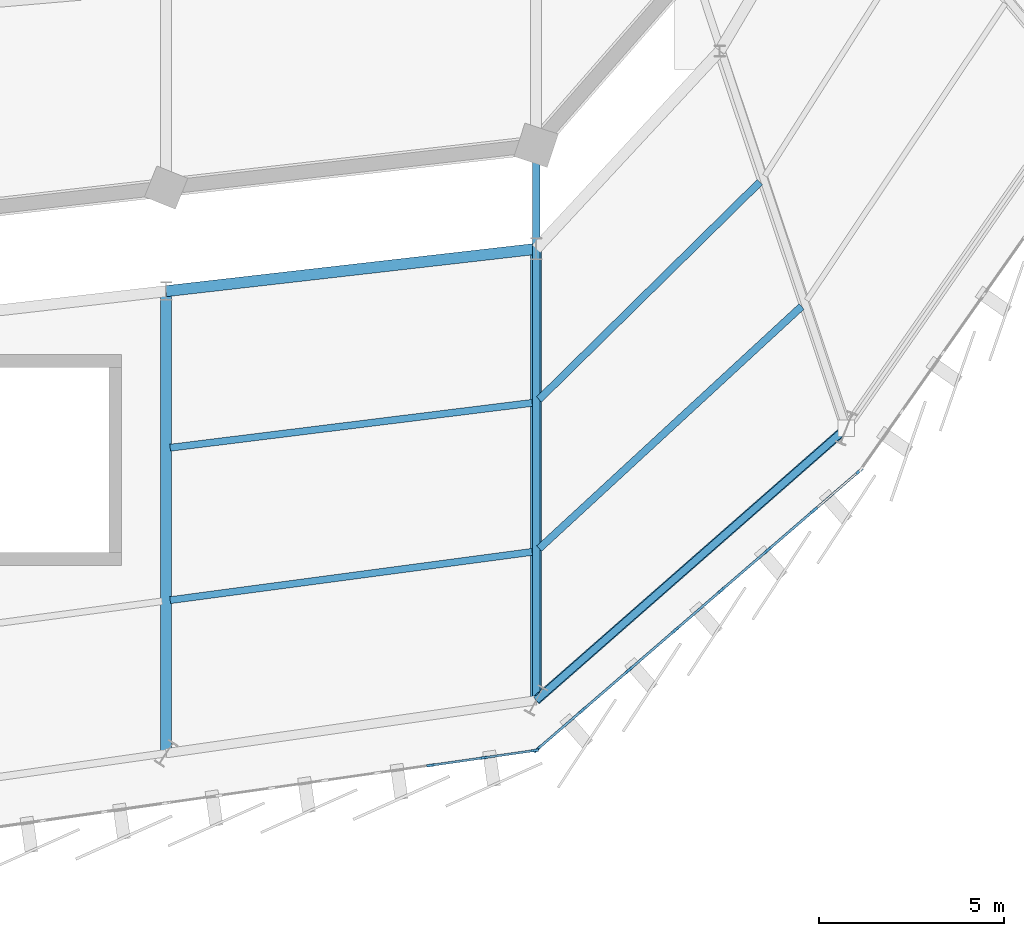
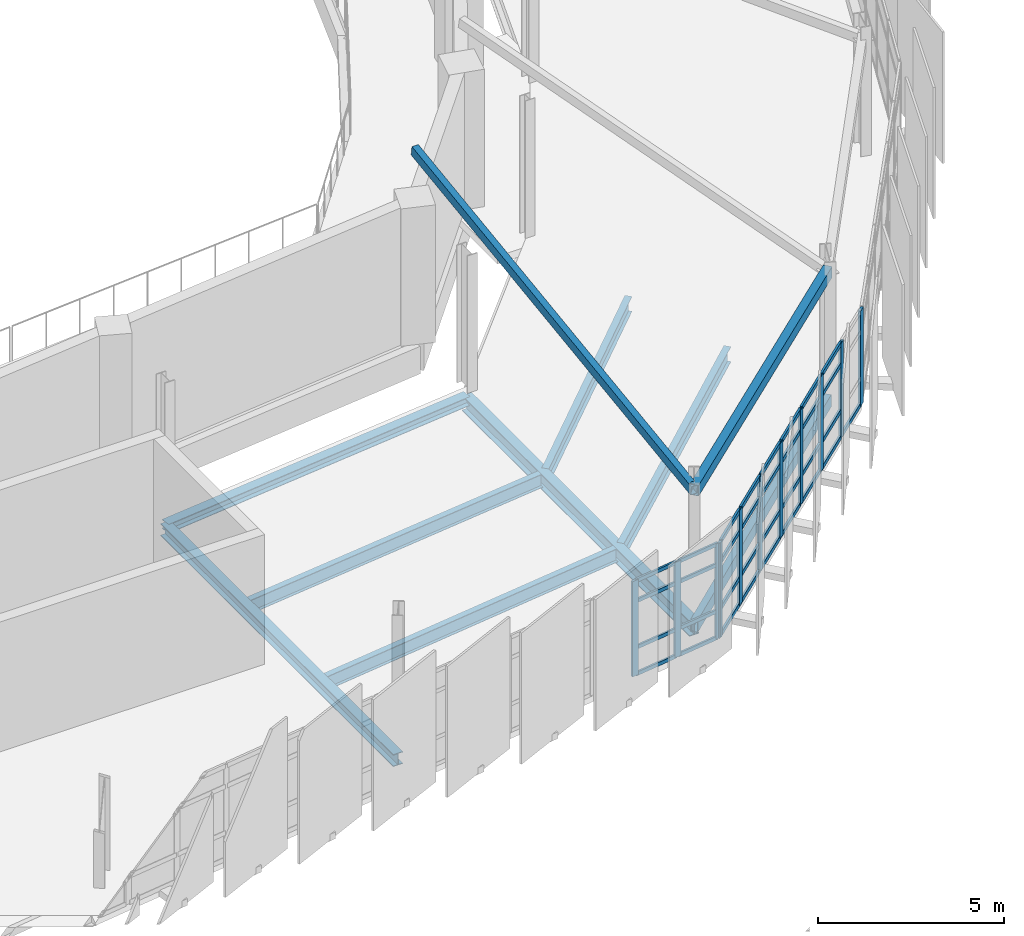
# One storey, part 40 of 87: 46 members, 8 beams, 2 elements without a shape of their own.
"""IFC4 building model written with IfcOpenShell, lengths in metres."""

from ifc_helpers import new_model, si_unit, direction, frame, origin, origin_2d, place, context, subcontext, project, spatial, rectangle, hollow_rectangle, i_section, extrude, material, layer, layer_set, material_profile, profile_set, type_object, element, aggregate, save


model = new_model("IFC4")

# Units and contexts
model_context = context("Model", 3, precision=1e-05, world=origin(), true_north=direction((0.0, 1.0)))
body_context = subcontext(model_context, "Body", "Model", "MODEL_VIEW")
ifc_project = project(units=[si_unit("LENGTHUNIT", "METRE"), si_unit("AREAUNIT", "SQUARE_METRE"), si_unit("VOLUMEUNIT", "CUBIC_METRE"), si_unit("PLANEANGLEUNIT", "RADIAN"), si_unit("MASSUNIT", "GRAM", prefix="KILO")], contexts=[model_context])

# Site, building, storey
site_placement = place(None, origin())
site = spatial("IfcSite", under=ifc_project, at=site_placement, CompositionType="ELEMENT")
building_placement = place(site_placement, origin())
building = spatial("IfcBuilding", under=site, at=building_placement, Name="Sohan Crest Arena", CompositionType="ELEMENT")
storey_placement = place(building_placement, frame((0.0, 0.0, 18.0)))
storey = spatial("IfcBuildingStorey", under=building, at=storey_placement, Name="L04", CompositionType="ELEMENT", Elevation=18.0)

# Curtain wall, members
ifc_material_1 = material(Name="Thermally broken anodised aluminium", Category="aluminium")
ifc_layer_1 = layer(ifc_material_1, 0.179931640625, Name="Thermally broken anodised aluminium")
ifc_layer_set_1 = layer_set([ifc_layer_1], Name="Thermally broken anodised aluminium")
curtain_wall_type_1 = type_object("IfcCurtainWallType", Name="ARC-CW01", PredefinedType="NOTDEFINED", material=ifc_layer_set_1)
curtain_wall_1_placement = place(storey_placement, origin())
curtain_wall_1 = element("IfcCurtainWall", 1, at=curtain_wall_1_placement, inside=storey, type_object=curtain_wall_type_1, Name="Unitised curtain wall CW-130", PredefinedType="NOTDEFINED")
ifc_material_profile_1 = material_profile(ifc_material_1, rectangle(XDim=0.070068359375, YDim=0.199951171875, at=origin_2d()), Name="ALU-MULL 70x200")
ifc_profile_set_1 = profile_set([ifc_material_profile_1], Name="Thermally broken anodised aluminium")
member_type_1 = type_object("IfcMemberType", Name="ARC-CW-ML03", PredefinedType="MULLION", material=ifc_profile_set_1)
member_1_placement = place(storey_placement, frame((165.142822265625, 38.24169921875, 0.0), z_axis=(0.0, 0.0, 1.0), x_axis=(-0.141462933734, 0.989943553128, 0.0)))
member_1 = element("IfcMember", 2, at=member_1_placement, type_object=member_type_1, Name="CW-130 mullion 6", PredefinedType="MULLION", context=body_context, shape_type="SweptSolid", body=[
    extrude(rectangle(XDim=0.070068359375, YDim=0.199951171875, at=origin_2d()), origin(), (0.0, 0.0, 1.0), 3.1201171875),
])
member_2_placement = place(storey_placement, frame((166.571533203125, 38.44580078125, 0.0), z_axis=(0.0, 0.0, 1.0), x_axis=(-0.141462933734, 0.989943553128, 0.0)))
member_2 = element("IfcMember", 3, at=member_2_placement, type_object=member_type_1, Name="CW-130 mullion 7", PredefinedType="MULLION", context=body_context, shape_type="SweptSolid", body=[
    extrude(rectangle(XDim=0.070068359375, YDim=0.199951171875, at=origin_2d()), origin(), (0.0, 0.0, 1.0), 3.1201171875),
])
member_3_placement = place(storey_placement, frame((167.96533203125, 38.64501953125, 0.0), z_axis=(0.0, 0.0, 1.0), x_axis=(-0.141462933734, 0.989943553128, 0.0)))
member_3 = element("IfcMember", 4, at=member_3_placement, type_object=member_type_1, Name="CW-130 mullion 8", PredefinedType="MULLION", context=body_context, shape_type="SweptSolid", body=[
    extrude(rectangle(XDim=0.070068359375, YDim=0.199951171875, at=origin_2d()), origin(), (0.0, 0.0, 1.0), 3.1201171875),
])

ifc_layer_2 = layer(ifc_material_1, 0.199951171875, Name="Thermally broken anodised aluminium")
ifc_layer_set_2 = layer_set([ifc_layer_2], Name="Thermally broken anodised aluminium")
curtain_wall_type_2 = type_object("IfcCurtainWallType", Name="ARC-CW02", PredefinedType="NOTDEFINED", material=ifc_layer_set_2)
curtain_wall_2_placement = place(storey_placement, origin())
curtain_wall_2 = element("IfcCurtainWall", 5, at=curtain_wall_2_placement, inside=storey, type_object=curtain_wall_type_2, Name="Unitised curtain wall CW-131", PredefinedType="NOTDEFINED")
ifc_material_profile_2 = material_profile(ifc_material_1, rectangle(XDim=0.074951171875, YDim=0.219970703125, at=origin_2d()), Name="ALU-MULL 75x220")
ifc_profile_set_2 = profile_set([ifc_material_profile_2], Name="Thermally broken anodised aluminium")
member_type_2 = type_object("IfcMemberType", Name="ARC-CW-ML04", PredefinedType="MULLION", material=ifc_profile_set_2)
member_4_placement = place(storey_placement, frame((168.0283203125, 38.674560546875, 0.0), z_axis=(0.0, 0.0, 1.0), x_axis=(-0.653687296748, 0.756764770633, 0.0)))
member_4 = element("IfcMember", 6, at=member_4_placement, type_object=member_type_2, Name="CW-131 mullion 1", PredefinedType="MULLION", context=body_context, shape_type="SweptSolid", body=[
    extrude(rectangle(XDim=0.074951171875, YDim=0.219970703125, at=origin_2d()), origin(), (0.0, 0.0, 1.0), 3.1201171875),
])
member_5_placement = place(storey_placement, frame((169.252197265625, 39.731689453125, 0.0), z_axis=(0.0, 0.0, 1.0), x_axis=(-0.653687296748, 0.756764770633, 0.0)))
member_5 = element("IfcMember", 7, at=member_5_placement, type_object=member_type_2, Name="CW-131 mullion 2", PredefinedType="MULLION", context=body_context, shape_type="SweptSolid", body=[
    extrude(rectangle(XDim=0.074951171875, YDim=0.219970703125, at=origin_2d()), origin(), (0.0, 0.0, 1.0), 3.1201171875),
])
member_6_placement = place(storey_placement, frame((170.504638671875, 40.8134765625, 0.0), z_axis=(0.0, 0.0, 1.0), x_axis=(-0.653687296748, 0.756764770633, 0.0)))
member_6 = element("IfcMember", 8, at=member_6_placement, type_object=member_type_2, Name="CW-131 mullion 3", PredefinedType="MULLION", context=body_context, shape_type="SweptSolid", body=[
    extrude(rectangle(XDim=0.074951171875, YDim=0.219970703125, at=origin_2d()), origin(), (0.0, 0.0, 1.0), 3.1201171875),
])
member_7_placement = place(storey_placement, frame((171.7568359375, 41.895263671875, 0.0), z_axis=(0.0, 0.0, 1.0), x_axis=(-0.653687296748, 0.756764770633, 0.0)))
member_7 = element("IfcMember", 9, at=member_7_placement, type_object=member_type_2, Name="CW-131 mullion 4", PredefinedType="MULLION", context=body_context, shape_type="SweptSolid", body=[
    extrude(rectangle(XDim=0.074951171875, YDim=0.219970703125, at=origin_2d()), origin(), (0.0, 0.0, 1.0), 3.1201171875),
])
member_8_placement = place(storey_placement, frame((173.009033203125, 42.976806640625, 0.0), z_axis=(0.0, 0.0, 1.0), x_axis=(-0.653687296748, 0.756764770633, 0.0)))
member_8 = element("IfcMember", 10, at=member_8_placement, type_object=member_type_2, Name="CW-131 mullion 5", PredefinedType="MULLION", context=body_context, shape_type="SweptSolid", body=[
    extrude(rectangle(XDim=0.074951171875, YDim=0.219970703125, at=origin_2d()), origin(), (0.0, 0.0, 1.0), 3.1201171875),
])
member_9_placement = place(storey_placement, frame((174.261474609375, 44.05859375, 0.0), z_axis=(0.0, 0.0, 1.0), x_axis=(-0.653687296748, 0.756764770633, 0.0)))
member_9 = element("IfcMember", 11, at=member_9_placement, type_object=member_type_2, Name="CW-131 mullion 6", PredefinedType="MULLION", context=body_context, shape_type="SweptSolid", body=[
    extrude(rectangle(XDim=0.074951171875, YDim=0.219970703125, at=origin_2d()), origin(), (0.0, 0.0, 1.0), 3.1201171875),
])
member_10_placement = place(storey_placement, frame((175.513671875, 45.140380859375, 0.0), z_axis=(0.0, 0.0, 1.0), x_axis=(-0.653687296748, 0.756764770633, 0.0)))
member_10 = element("IfcMember", 12, at=member_10_placement, type_object=member_type_2, Name="CW-131 mullion 7", PredefinedType="MULLION", context=body_context, shape_type="SweptSolid", body=[
    extrude(rectangle(XDim=0.074951171875, YDim=0.219970703125, at=origin_2d()), origin(), (0.0, 0.0, 1.0), 3.1201171875),
])
member_11_placement = place(storey_placement, frame((176.737548828125, 46.197509765625, 0.0), z_axis=(0.0, 0.0, 1.0), x_axis=(-0.653687296748, 0.756764770633, 0.0)))
member_11 = element("IfcMember", 13, at=member_11_placement, type_object=member_type_2, Name="CW-131 mullion 8", PredefinedType="MULLION", context=body_context, shape_type="SweptSolid", body=[
    extrude(rectangle(XDim=0.074951171875, YDim=0.219970703125, at=origin_2d()), origin(), (0.0, 0.0, 1.0), 3.1201171875),
])

# Member
ifc_material_profile_3 = material_profile(ifc_material_1, rectangle(XDim=0.06005859375, YDim=0.1201171875, at=origin_2d()), Name="ALU-TRAN 60x120")
ifc_profile_set_3 = profile_set([ifc_material_profile_3], Name="Thermally broken anodised aluminium")
member_type_3 = type_object("IfcMemberType", Name="ARC-CW-TR01", PredefinedType="USERDEFINED", material=ifc_profile_set_3)
member_12_placement = place(storey_placement, frame((165.177490234375, 38.24658203125, 0.030029296875), z_axis=(0.989935265447, 0.141520917977, 0.0), x_axis=(-0.141520917977, 0.989935265447, 0.0)))
member_12 = element("IfcMember", 14, at=member_12_placement, type_object=member_type_3, Name="CW-130 transom 6.1", ObjectType="TRANSOM", PredefinedType="USERDEFINED", context=body_context, shape_type="SweptSolid", body=[
    extrude(rectangle(XDim=0.06005859375, YDim=0.1201171875, at=origin_2d()), origin(), (0.0, 0.0, 1.0), 1.373291015625),
])

member_13_placement = place(storey_placement, frame((165.177490234375, 38.24658203125, 0.89990234375), z_axis=(0.989935265447, 0.141520917977, 0.0), x_axis=(-0.141520917977, 0.989935265447, 0.0)))
member_13 = element("IfcMember", 15, at=member_13_placement, type_object=member_type_3, Name="CW-130 transom 6.2", ObjectType="TRANSOM", PredefinedType="USERDEFINED", context=body_context, shape_type="SweptSolid", body=[
    extrude(rectangle(XDim=0.06005859375, YDim=0.1201171875, at=origin_2d()), origin(), (0.0, 0.0, 1.0), 1.373291015625),
])

member_14_placement = place(storey_placement, frame((165.177490234375, 38.24658203125, 2.419921875), z_axis=(0.989935265447, 0.141520917977, 0.0), x_axis=(-0.141520917977, 0.989935265447, 0.0)))
member_14 = element("IfcMember", 16, at=member_14_placement, type_object=member_type_3, Name="CW-130 transom 6.3", ObjectType="TRANSOM", PredefinedType="USERDEFINED", context=body_context, shape_type="SweptSolid", body=[
    extrude(rectangle(XDim=0.06005859375, YDim=0.1201171875, at=origin_2d()), origin(), (0.0, 0.0, 1.0), 1.373291015625),
])

member_15_placement = place(storey_placement, frame((165.177490234375, 38.24658203125, 3.090087890625), z_axis=(0.989935265447, 0.141520917977, 0.0), x_axis=(-0.141520917977, 0.989935265447, 0.0)))
member_15 = element("IfcMember", 17, at=member_15_placement, type_object=member_type_3, Name="CW-130 transom 6.4", ObjectType="TRANSOM", PredefinedType="USERDEFINED", context=body_context, shape_type="SweptSolid", body=[
    extrude(rectangle(XDim=0.06005859375, YDim=0.1201171875, at=origin_2d()), origin(), (0.0, 0.0, 1.0), 1.373291015625),
])

member_16_placement = place(storey_placement, frame((166.60595703125, 38.450927734375, 0.030029296875), z_axis=(0.989953142256, 0.141395813721, 0.0), x_axis=(-0.141395813721, 0.989953142256, 0.0)))
member_16 = element("IfcMember", 18, at=member_16_placement, type_object=member_type_3, Name="CW-130 transom 7.1", ObjectType="TRANSOM", PredefinedType="USERDEFINED", context=body_context, shape_type="SweptSolid", body=[
    extrude(rectangle(XDim=0.06005859375, YDim=0.1201171875, at=origin_2d()), origin(), (0.0, 0.0, 1.0), 1.338134765625),
])

member_17_placement = place(storey_placement, frame((166.60595703125, 38.450927734375, 0.89990234375), z_axis=(0.989953142256, 0.141395813721, 0.0), x_axis=(-0.141395813721, 0.989953142256, 0.0)))
member_17 = element("IfcMember", 19, at=member_17_placement, type_object=member_type_3, Name="CW-130 transom 7.2", ObjectType="TRANSOM", PredefinedType="USERDEFINED", context=body_context, shape_type="SweptSolid", body=[
    extrude(rectangle(XDim=0.06005859375, YDim=0.1201171875, at=origin_2d()), origin(), (0.0, 0.0, 1.0), 1.338134765625),
])

member_18_placement = place(storey_placement, frame((166.60595703125, 38.450927734375, 2.419921875), z_axis=(0.989953142256, 0.141395813721, 0.0), x_axis=(-0.141395813721, 0.989953142256, 0.0)))
member_18 = element("IfcMember", 20, at=member_18_placement, type_object=member_type_3, Name="CW-130 transom 7.3", ObjectType="TRANSOM", PredefinedType="USERDEFINED", context=body_context, shape_type="SweptSolid", body=[
    extrude(rectangle(XDim=0.06005859375, YDim=0.1201171875, at=origin_2d()), origin(), (0.0, 0.0, 1.0), 1.338134765625),
])

member_19_placement = place(storey_placement, frame((166.60595703125, 38.450927734375, 3.090087890625), z_axis=(0.989953142256, 0.141395813721, 0.0), x_axis=(-0.141395813721, 0.989953142256, 0.0)))
member_19 = element("IfcMember", 21, at=member_19_placement, type_object=member_type_3, Name="CW-130 transom 7.4", ObjectType="TRANSOM", PredefinedType="USERDEFINED", context=body_context, shape_type="SweptSolid", body=[
    extrude(rectangle(XDim=0.06005859375, YDim=0.1201171875, at=origin_2d()), origin(), (0.0, 0.0, 1.0), 1.338134765625),
])

aggregate(curtain_wall_1, [member_1, member_2, member_3, member_12, member_13, member_14, member_15, member_16, member_17, member_18, member_19])

ifc_material_profile_4 = material_profile(ifc_material_1, rectangle(XDim=0.06494140625, YDim=0.139892578125, at=origin_2d()), Name="ALU-TRAN 65x140")
ifc_profile_set_4 = profile_set([ifc_material_profile_4], Name="Thermally broken anodised aluminium")
member_type_4 = type_object("IfcMemberType", Name="ARC-CW-TR02", PredefinedType="USERDEFINED", material=ifc_profile_set_4)
member_20_placement = place(storey_placement, frame((168.056640625, 38.698974609375, 0.032470703125), z_axis=(0.756748263547, 0.653706406285, 0.0), x_axis=(-0.653706406285, 0.756748263547, 0.0)))
member_20 = element("IfcMember", 22, at=member_20_placement, type_object=member_type_4, Name="CW-131 transom 1.1", ObjectType="TRANSOM", PredefinedType="USERDEFINED", context=body_context, shape_type="SweptSolid", body=[
    extrude(rectangle(XDim=0.06494140625, YDim=0.139892578125, at=origin_2d()), origin(), (0.0, 0.0, 1.0), 1.54248046875),
])

member_21_placement = place(storey_placement, frame((168.056640625, 38.698974609375, 0.89990234375), z_axis=(0.756748263547, 0.653706406285, 0.0), x_axis=(-0.653706406285, 0.756748263547, 0.0)))
member_21 = element("IfcMember", 23, at=member_21_placement, type_object=member_type_4, Name="CW-131 transom 1.2", ObjectType="TRANSOM", PredefinedType="USERDEFINED", context=body_context, shape_type="SweptSolid", body=[
    extrude(rectangle(XDim=0.06494140625, YDim=0.139892578125, at=origin_2d()), origin(), (0.0, 0.0, 1.0), 1.54248046875),
])

member_22_placement = place(storey_placement, frame((168.056640625, 38.698974609375, 2.419921875), z_axis=(0.756748263547, 0.653706406285, 0.0), x_axis=(-0.653706406285, 0.756748263547, 0.0)))
member_22 = element("IfcMember", 24, at=member_22_placement, type_object=member_type_4, Name="CW-131 transom 1.3", ObjectType="TRANSOM", PredefinedType="USERDEFINED", context=body_context, shape_type="SweptSolid", body=[
    extrude(rectangle(XDim=0.06494140625, YDim=0.139892578125, at=origin_2d()), origin(), (0.0, 0.0, 1.0), 1.54248046875),
])

member_23_placement = place(storey_placement, frame((168.056640625, 38.698974609375, 3.08740234375), z_axis=(0.756748263547, 0.653706406285, 0.0), x_axis=(-0.653706406285, 0.756748263547, 0.0)))
member_23 = element("IfcMember", 25, at=member_23_placement, type_object=member_type_4, Name="CW-131 transom 1.4", ObjectType="TRANSOM", PredefinedType="USERDEFINED", context=body_context, shape_type="SweptSolid", body=[
    extrude(rectangle(XDim=0.06494140625, YDim=0.139892578125, at=origin_2d()), origin(), (0.0, 0.0, 1.0), 1.54248046875),
])

member_24_placement = place(storey_placement, frame((169.28076171875, 39.75634765625, 0.032470703125), z_axis=(0.756774348158, 0.653676208815, 0.0), x_axis=(-0.653676208815, 0.756774348158, 0.0)))
member_24 = element("IfcMember", 26, at=member_24_placement, type_object=member_type_4, Name="CW-131 transom 2.1", ObjectType="TRANSOM", PredefinedType="USERDEFINED", context=body_context, shape_type="SweptSolid", body=[
    extrude(rectangle(XDim=0.06494140625, YDim=0.139892578125, at=origin_2d()), origin(), (0.0, 0.0, 1.0), 1.57958984375),
])

member_25_placement = place(storey_placement, frame((169.28076171875, 39.75634765625, 0.89990234375), z_axis=(0.756774348158, 0.653676208815, 0.0), x_axis=(-0.653676208815, 0.756774348158, 0.0)))
member_25 = element("IfcMember", 27, at=member_25_placement, type_object=member_type_4, Name="CW-131 transom 2.2", ObjectType="TRANSOM", PredefinedType="USERDEFINED", context=body_context, shape_type="SweptSolid", body=[
    extrude(rectangle(XDim=0.06494140625, YDim=0.139892578125, at=origin_2d()), origin(), (0.0, 0.0, 1.0), 1.57958984375),
])

member_26_placement = place(storey_placement, frame((169.28076171875, 39.75634765625, 2.419921875), z_axis=(0.756774348158, 0.653676208815, 0.0), x_axis=(-0.653676208815, 0.756774348158, 0.0)))
member_26 = element("IfcMember", 28, at=member_26_placement, type_object=member_type_4, Name="CW-131 transom 2.3", ObjectType="TRANSOM", PredefinedType="USERDEFINED", context=body_context, shape_type="SweptSolid", body=[
    extrude(rectangle(XDim=0.06494140625, YDim=0.139892578125, at=origin_2d()), origin(), (0.0, 0.0, 1.0), 1.57958984375),
])

member_27_placement = place(storey_placement, frame((169.28076171875, 39.75634765625, 3.08740234375), z_axis=(0.756774348158, 0.653676208815, 0.0), x_axis=(-0.653676208815, 0.756774348158, 0.0)))
member_27 = element("IfcMember", 29, at=member_27_placement, type_object=member_type_4, Name="CW-131 transom 2.4", ObjectType="TRANSOM", PredefinedType="USERDEFINED", context=body_context, shape_type="SweptSolid", body=[
    extrude(rectangle(XDim=0.06494140625, YDim=0.139892578125, at=origin_2d()), origin(), (0.0, 0.0, 1.0), 1.57958984375),
])

member_28_placement = place(storey_placement, frame((170.532958984375, 40.837890625, 0.032470703125), z_axis=(0.756763933432, 0.653688265962, 0.0), x_axis=(-0.653688265962, 0.756763933432, 0.0)))
member_28 = element("IfcMember", 30, at=member_28_placement, type_object=member_type_4, Name="CW-131 transom 3.1", ObjectType="TRANSOM", PredefinedType="USERDEFINED", context=body_context, shape_type="SweptSolid", body=[
    extrude(rectangle(XDim=0.06494140625, YDim=0.139892578125, at=origin_2d()), origin(), (0.0, 0.0, 1.0), 1.579833984375),
])

member_29_placement = place(storey_placement, frame((170.532958984375, 40.837890625, 0.89990234375), z_axis=(0.756763933432, 0.653688265962, 0.0), x_axis=(-0.653688265962, 0.756763933432, 0.0)))
member_29 = element("IfcMember", 31, at=member_29_placement, type_object=member_type_4, Name="CW-131 transom 3.2", ObjectType="TRANSOM", PredefinedType="USERDEFINED", context=body_context, shape_type="SweptSolid", body=[
    extrude(rectangle(XDim=0.06494140625, YDim=0.139892578125, at=origin_2d()), origin(), (0.0, 0.0, 1.0), 1.579833984375),
])

member_30_placement = place(storey_placement, frame((170.532958984375, 40.837890625, 2.419921875), z_axis=(0.756763933432, 0.653688265962, 0.0), x_axis=(-0.653688265962, 0.756763933432, 0.0)))
member_30 = element("IfcMember", 32, at=member_30_placement, type_object=member_type_4, Name="CW-131 transom 3.3", ObjectType="TRANSOM", PredefinedType="USERDEFINED", context=body_context, shape_type="SweptSolid", body=[
    extrude(rectangle(XDim=0.06494140625, YDim=0.139892578125, at=origin_2d()), origin(), (0.0, 0.0, 1.0), 1.579833984375),
])

member_31_placement = place(storey_placement, frame((170.532958984375, 40.837890625, 3.08740234375), z_axis=(0.756763933432, 0.653688265962, 0.0), x_axis=(-0.653688265962, 0.756763933432, 0.0)))
member_31 = element("IfcMember", 33, at=member_31_placement, type_object=member_type_4, Name="CW-131 transom 3.4", ObjectType="TRANSOM", PredefinedType="USERDEFINED", context=body_context, shape_type="SweptSolid", body=[
    extrude(rectangle(XDim=0.06494140625, YDim=0.139892578125, at=origin_2d()), origin(), (0.0, 0.0, 1.0), 1.579833984375),
])

member_32_placement = place(storey_placement, frame((171.78515625, 41.919677734375, 0.032470703125), z_axis=(0.756763933432, 0.653688265962, 0.0), x_axis=(-0.653688265962, 0.756763933432, 0.0)))
member_32 = element("IfcMember", 34, at=member_32_placement, type_object=member_type_4, Name="CW-131 transom 4.1", ObjectType="TRANSOM", PredefinedType="USERDEFINED", context=body_context, shape_type="SweptSolid", body=[
    extrude(rectangle(XDim=0.06494140625, YDim=0.139892578125, at=origin_2d()), origin(), (0.0, 0.0, 1.0), 1.579833984375),
])

member_33_placement = place(storey_placement, frame((171.78515625, 41.919677734375, 0.89990234375), z_axis=(0.756763933432, 0.653688265962, 0.0), x_axis=(-0.653688265962, 0.756763933432, 0.0)))
member_33 = element("IfcMember", 35, at=member_33_placement, type_object=member_type_4, Name="CW-131 transom 4.2", ObjectType="TRANSOM", PredefinedType="USERDEFINED", context=body_context, shape_type="SweptSolid", body=[
    extrude(rectangle(XDim=0.06494140625, YDim=0.139892578125, at=origin_2d()), origin(), (0.0, 0.0, 1.0), 1.579833984375),
])

member_34_placement = place(storey_placement, frame((171.78515625, 41.919677734375, 2.419921875), z_axis=(0.756763933432, 0.653688265962, 0.0), x_axis=(-0.653688265962, 0.756763933432, 0.0)))
member_34 = element("IfcMember", 36, at=member_34_placement, type_object=member_type_4, Name="CW-131 transom 4.3", ObjectType="TRANSOM", PredefinedType="USERDEFINED", context=body_context, shape_type="SweptSolid", body=[
    extrude(rectangle(XDim=0.06494140625, YDim=0.139892578125, at=origin_2d()), origin(), (0.0, 0.0, 1.0), 1.579833984375),
])

member_35_placement = place(storey_placement, frame((171.78515625, 41.919677734375, 3.08740234375), z_axis=(0.756763933432, 0.653688265962, 0.0), x_axis=(-0.653688265962, 0.756763933432, 0.0)))
member_35 = element("IfcMember", 37, at=member_35_placement, type_object=member_type_4, Name="CW-131 transom 4.4", ObjectType="TRANSOM", PredefinedType="USERDEFINED", context=body_context, shape_type="SweptSolid", body=[
    extrude(rectangle(XDim=0.06494140625, YDim=0.139892578125, at=origin_2d()), origin(), (0.0, 0.0, 1.0), 1.579833984375),
])

member_36_placement = place(storey_placement, frame((173.03759765625, 43.00146484375, 0.032470703125), z_axis=(0.756763933432, 0.653688265962, 0.0), x_axis=(-0.653688265962, 0.756763933432, 0.0)))
member_36 = element("IfcMember", 38, at=member_36_placement, type_object=member_type_4, Name="CW-131 transom 5.1", ObjectType="TRANSOM", PredefinedType="USERDEFINED", context=body_context, shape_type="SweptSolid", body=[
    extrude(rectangle(XDim=0.06494140625, YDim=0.139892578125, at=origin_2d()), origin(), (0.0, 0.0, 1.0), 1.579833984375),
])

member_37_placement = place(storey_placement, frame((173.03759765625, 43.00146484375, 0.89990234375), z_axis=(0.756763933432, 0.653688265962, 0.0), x_axis=(-0.653688265962, 0.756763933432, 0.0)))
member_37 = element("IfcMember", 39, at=member_37_placement, type_object=member_type_4, Name="CW-131 transom 5.2", ObjectType="TRANSOM", PredefinedType="USERDEFINED", context=body_context, shape_type="SweptSolid", body=[
    extrude(rectangle(XDim=0.06494140625, YDim=0.139892578125, at=origin_2d()), origin(), (0.0, 0.0, 1.0), 1.579833984375),
])

member_38_placement = place(storey_placement, frame((173.03759765625, 43.00146484375, 2.419921875), z_axis=(0.756763933432, 0.653688265962, 0.0), x_axis=(-0.653688265962, 0.756763933432, 0.0)))
member_38 = element("IfcMember", 40, at=member_38_placement, type_object=member_type_4, Name="CW-131 transom 5.3", ObjectType="TRANSOM", PredefinedType="USERDEFINED", context=body_context, shape_type="SweptSolid", body=[
    extrude(rectangle(XDim=0.06494140625, YDim=0.139892578125, at=origin_2d()), origin(), (0.0, 0.0, 1.0), 1.579833984375),
])

member_39_placement = place(storey_placement, frame((173.03759765625, 43.00146484375, 3.08740234375), z_axis=(0.756763933432, 0.653688265962, 0.0), x_axis=(-0.653688265962, 0.756763933432, 0.0)))
member_39 = element("IfcMember", 41, at=member_39_placement, type_object=member_type_4, Name="CW-131 transom 5.4", ObjectType="TRANSOM", PredefinedType="USERDEFINED", context=body_context, shape_type="SweptSolid", body=[
    extrude(rectangle(XDim=0.06494140625, YDim=0.139892578125, at=origin_2d()), origin(), (0.0, 0.0, 1.0), 1.579833984375),
])

member_40_placement = place(storey_placement, frame((174.289794921875, 44.0830078125, 0.032470703125), z_axis=(0.756763933432, 0.653688265962, 0.0), x_axis=(-0.653688265962, 0.756763933432, 0.0)))
member_40 = element("IfcMember", 42, at=member_40_placement, type_object=member_type_4, Name="CW-131 transom 6.1", ObjectType="TRANSOM", PredefinedType="USERDEFINED", context=body_context, shape_type="SweptSolid", body=[
    extrude(rectangle(XDim=0.06494140625, YDim=0.139892578125, at=origin_2d()), origin(), (0.0, 0.0, 1.0), 1.579833984375),
])

member_41_placement = place(storey_placement, frame((174.289794921875, 44.0830078125, 0.89990234375), z_axis=(0.756763933432, 0.653688265962, 0.0), x_axis=(-0.653688265962, 0.756763933432, 0.0)))
member_41 = element("IfcMember", 43, at=member_41_placement, type_object=member_type_4, Name="CW-131 transom 6.2", ObjectType="TRANSOM", PredefinedType="USERDEFINED", context=body_context, shape_type="SweptSolid", body=[
    extrude(rectangle(XDim=0.06494140625, YDim=0.139892578125, at=origin_2d()), origin(), (0.0, 0.0, 1.0), 1.579833984375),
])

member_42_placement = place(storey_placement, frame((174.289794921875, 44.0830078125, 2.419921875), z_axis=(0.756763933432, 0.653688265962, 0.0), x_axis=(-0.653688265962, 0.756763933432, 0.0)))
member_42 = element("IfcMember", 44, at=member_42_placement, type_object=member_type_4, Name="CW-131 transom 6.3", ObjectType="TRANSOM", PredefinedType="USERDEFINED", context=body_context, shape_type="SweptSolid", body=[
    extrude(rectangle(XDim=0.06494140625, YDim=0.139892578125, at=origin_2d()), origin(), (0.0, 0.0, 1.0), 1.579833984375),
])

member_43_placement = place(storey_placement, frame((174.289794921875, 44.0830078125, 3.08740234375), z_axis=(0.756763933432, 0.653688265962, 0.0), x_axis=(-0.653688265962, 0.756763933432, 0.0)))
member_43 = element("IfcMember", 45, at=member_43_placement, type_object=member_type_4, Name="CW-131 transom 6.4", ObjectType="TRANSOM", PredefinedType="USERDEFINED", context=body_context, shape_type="SweptSolid", body=[
    extrude(rectangle(XDim=0.06494140625, YDim=0.139892578125, at=origin_2d()), origin(), (0.0, 0.0, 1.0), 1.579833984375),
])

member_44_placement = place(storey_placement, frame((175.5419921875, 45.164794921875, 0.032470703125), z_axis=(0.756826567139, 0.653615748948, 0.0), x_axis=(-0.653615748948, 0.756826567139, 0.0)))
member_44 = element("IfcMember", 46, at=member_44_placement, type_object=member_type_4, Name="CW-131 transom 7.1", ObjectType="TRANSOM", PredefinedType="USERDEFINED", context=body_context, shape_type="SweptSolid", body=[
    extrude(rectangle(XDim=0.06494140625, YDim=0.139892578125, at=origin_2d()), origin(), (0.0, 0.0, 1.0), 1.542236328125),
])

aggregate(curtain_wall_2, [member_4, member_5, member_6, member_7, member_8, member_9, member_10, member_11, member_20, member_21, member_22, member_23, member_24, member_25, member_26, member_27, member_28, member_29, member_30, member_31, member_32, member_33, member_34, member_35, member_36, member_37, member_38, member_39, member_40, member_41, member_42, member_43, member_44])

# Beams
ifc_material_2 = material(Name="Steel S355", Category="steel")
ifc_material_profile_5 = material_profile(ifc_material_2, i_section(OverallWidth=0.18994140625, OverallDepth=0.449951171875, WebThickness=0.009521484375, FlangeThickness=0.0146484375, at=origin_2d()), Name="IPE 450")
ifc_profile_set_5 = profile_set([ifc_material_profile_5], Name="Steel S355")
beam_type_1 = type_object("IfcBeamType", Name="STR-BM-B04", PredefinedType="JOIST", material=ifc_profile_set_5)
beam_1_placement = place(storey_placement, frame((158.10888671875, 46.825927734375, -0.47509765625), z_axis=(0.992409914467, 0.122973825131, 0.0), x_axis=(-0.122973825131, 0.992409914467, 0.0)))
element("IfcBeam", 47, at=beam_1_placement, inside=storey, type_object=beam_type_1, Name="Structural beam J-L04-1632", PredefinedType="JOIST", context=body_context, shape_type="SweptSolid", body=[
    extrude(i_section(OverallWidth=0.18994140625, OverallDepth=0.449951171875, WebThickness=0.009521484375, FlangeThickness=0.0146484375, at=origin_2d()), origin(), (0.0, 0.0, 1.0), 9.85693359375),
])
beam_2_placement = place(storey_placement, frame((158.10888671875, 42.7060546875, -0.47509765625), z_axis=(0.991219472477, 0.132226916252, 0.0), x_axis=(-0.132226916252, 0.991219472477, 0.0)))
element("IfcBeam", 48, at=beam_2_placement, inside=storey, type_object=beam_type_1, Name="Structural beam J-L04-1633", PredefinedType="JOIST", context=body_context, shape_type="SweptSolid", body=[
    extrude(i_section(OverallWidth=0.18994140625, OverallDepth=0.449951171875, WebThickness=0.009521484375, FlangeThickness=0.0146484375, at=origin_2d()), origin(), (0.0, 0.0, 1.0), 9.868896484375),
])
ifc_material_profile_6 = material_profile(ifc_material_2, i_section(OverallWidth=0.199951171875, OverallDepth=0.5, WebThickness=0.01025390625, FlangeThickness=0.01611328125, at=origin_2d()), Name="IPE 500")
ifc_profile_set_6 = profile_set([ifc_material_profile_6], Name="Steel S355")
beam_type_2 = type_object("IfcBeamType", Name="STR-BM-B05", PredefinedType="JOIST", material=ifc_profile_set_6)
beam_3_placement = place(storey_placement, frame((168.077880859375, 48.12890625, -0.5), z_axis=(0.712580271708, 0.701590590283, 0.0), x_axis=(-0.701590590283, 0.712580271708, 0.0)))
element("IfcBeam", 49, at=beam_3_placement, inside=storey, type_object=beam_type_2, Name="Structural beam J-L04-1637", PredefinedType="JOIST", context=body_context, shape_type="SweptSolid", body=[
    extrude(i_section(OverallWidth=0.199951171875, OverallDepth=0.5, WebThickness=0.01025390625, FlangeThickness=0.01611328125, at=origin_2d()), origin(), (0.0, 0.0, 1.0), 8.375244140625),
])
beam_4_placement = place(storey_placement, frame((168.0810546875, 44.10107421875, -0.5), z_axis=(0.735036224245, 0.678027837959, 0.0), x_axis=(-0.678027837959, 0.735036224245, 0.0)))
element("IfcBeam", 50, at=beam_4_placement, inside=storey, type_object=beam_type_2, Name="Structural beam J-L04-1638", PredefinedType="JOIST", context=body_context, shape_type="SweptSolid", body=[
    extrude(i_section(OverallWidth=0.199951171875, OverallDepth=0.5, WebThickness=0.01025390625, FlangeThickness=0.01611328125, at=origin_2d()), origin(), (0.0, 0.0, 1.0), 9.648681640625),
])
ifc_material_profile_7 = material_profile(ifc_material_2, i_section(OverallWidth=0.300048828125, OverallDepth=0.300048828125, WebThickness=0.010986328125, FlangeThickness=0.01904296875, at=origin_2d()), Name="HEB 300")
ifc_profile_set_7 = profile_set([ifc_material_profile_7], Name="Steel S355")
beam_type_3 = type_object("IfcBeamType", Name="STR-BM-B12", PredefinedType="BEAM", material=ifc_profile_set_7)
beam_5_placement = place(storey_placement, frame((158.0, 51.056884765625, -0.39990234375), z_axis=(0.99353032697, 0.113567114035, 0.0), x_axis=(-0.113567114035, 0.99353032697, 0.0)))
element("IfcBeam", 51, at=beam_5_placement, inside=storey, type_object=beam_type_3, Name="Structural beam G-L04-1630", PredefinedType="BEAM", context=body_context, shape_type="SweptSolid", body=[
    extrude(i_section(OverallWidth=0.300048828125, OverallDepth=0.300048828125, WebThickness=0.010986328125, FlangeThickness=0.01904296875, at=origin_2d()), origin(), (0.0, 0.0, 1.0), 10.065185546875),
])
ifc_material_profile_8 = material_profile(ifc_material_2, i_section(OverallWidth=0.300048828125, OverallDepth=0.39990234375, WebThickness=0.013427734375, FlangeThickness=0.02392578125, at=origin_2d()), Name="HEB 400")
ifc_profile_set_8 = profile_set([ifc_material_profile_8], Name="Steel S355")
beam_type_4 = type_object("IfcBeamType", Name="STR-BM-B13", PredefinedType="BEAM", material=ifc_profile_set_8)
beam_6_placement = place(storey_placement, frame((158.0, 51.056884765625, -0.449951171875), z_axis=(0.0, -1.0, 0.0), x_axis=(1.0, 0.0, 0.0)))
element("IfcBeam", 52, at=beam_6_placement, inside=storey, type_object=beam_type_4, Name="Structural beam G-L04-1629", PredefinedType="BEAM", context=body_context, shape_type="SweptSolid", body=[
    extrude(i_section(OverallWidth=0.300048828125, OverallDepth=0.39990234375, WebThickness=0.013427734375, FlangeThickness=0.02392578125, at=origin_2d()), origin(), (0.0, 0.0, 1.0), 12.48583984375),
])
ifc_material_profile_9 = material_profile(ifc_material_2, i_section(OverallWidth=0.300048828125, OverallDepth=0.5, WebThickness=0.014404296875, FlangeThickness=0.028076171875, at=origin_2d()), Name="HEB 500")
ifc_profile_set_9 = profile_set([ifc_material_profile_9], Name="Steel S355")
beam_type_5 = type_object("IfcBeamType", Name="STR-BM-B14", PredefinedType="BEAM", material=ifc_profile_set_9)
beam_7_placement = place(storey_placement, frame((168.0, 52.199951171875, -0.5), z_axis=(0.0, -1.0, 0.0), x_axis=(1.0, 0.0, 0.0)))
element("IfcBeam", 53, at=beam_7_placement, inside=storey, type_object=beam_type_5, Name="Structural beam G-L04-1634", PredefinedType="BEAM", context=body_context, shape_type="SweptSolid", body=[
    extrude(i_section(OverallWidth=0.300048828125, OverallDepth=0.5, WebThickness=0.014404296875, FlangeThickness=0.028076171875, at=origin_2d()), origin(), (0.0, 0.0, 1.0), 12.199951171875),
])
ifc_material_profile_10 = material_profile(ifc_material_2, hollow_rectangle(XDim=0.199951171875, YDim=0.39990234375, WallThickness=0.012451171875, at=origin_2d()), Name="RHS 400x200x12.5")
ifc_profile_set_10 = profile_set([ifc_material_profile_10], Name="Steel S355")
beam_type_6 = type_object("IfcBeamType", Name="STR-BM-SP05", PredefinedType="SPANDREL", material=ifc_profile_set_10)
beam_8_placement = place(storey_placement, frame((168.0, 40.0, -0.449951171875), z_axis=(0.751695897988, 0.659509876308, 0.0), x_axis=(-0.659509876308, 0.751695897988, 0.0)))
element("IfcBeam", 54, at=beam_8_placement, inside=storey, type_object=beam_type_6, Name="Structural beam SP-L04-1636", PredefinedType="SPANDREL", context=body_context, shape_type="SweptSolid", body=[
    extrude(hollow_rectangle(XDim=0.199951171875, YDim=0.39990234375, WallThickness=0.012451171875, at=origin_2d()), origin(), (0.0, 0.0, 1.0), 11.152099609375),
])

# Members
ifc_material_profile_11 = material_profile(ifc_material_2, hollow_rectangle(XDim=0.199951171875, YDim=0.300048828125, WallThickness=0.010009765625, at=origin_2d()), Name="RHS 300x200x10")
ifc_profile_set_11 = profile_set([ifc_material_profile_11], Name="Steel S355")
member_type_5 = type_object("IfcMemberType", Name="STR-MEM-CH03", PredefinedType="CHORD", material=ifc_profile_set_11)
member_45_placement = place(storey_placement, frame((168.0, 55.0, 6.049072265625), z_axis=(0.0, -0.990789497179, -0.135411123174), x_axis=(1.0, 0.0, 0.0)))
element("IfcMember", 55, at=member_45_placement, inside=storey, type_object=member_type_5, Name="Outer roof-edge radial tie chord ORT-20", PredefinedType="CHORD", context=body_context, shape_type="SweptSolid", body=[
    extrude(hollow_rectangle(XDim=0.199951171875, YDim=0.300048828125, WallThickness=0.010009765625, at=origin_2d()), origin(), (0.0, 0.0, 1.0), 15.139404296875),
])
ifc_material_profile_12 = material_profile(ifc_material_2, hollow_rectangle(XDim=0.25, YDim=0.35009765625, WallThickness=0.012451171875, at=origin_2d()), Name="RHS 350x250x12.5")
ifc_profile_set_12 = profile_set([ifc_material_profile_12], Name="Steel S355")
member_type_6 = type_object("IfcMemberType", Name="STR-MEM-CH04", PredefinedType="CHORD", material=ifc_profile_set_12)
member_46_placement = place(storey_placement, frame((168.0, 40.0, 3.9990234375), z_axis=(0.751544149041, 0.659376737456, -0.0200925395), x_axis=(-0.659509876308, 0.751695897988, 0.0)))
element("IfcMember", 56, at=member_46_placement, inside=storey, type_object=member_type_6, Name="Outer roof-edge truss chord ORB-20", PredefinedType="CHORD", context=body_context, shape_type="SweptSolid", body=[
    extrude(hollow_rectangle(XDim=0.25, YDim=0.35009765625, WallThickness=0.012451171875, at=origin_2d()), origin(), (0.0, 0.0, 1.0), 11.154541015625),
])

save(model, "model.ifc")
